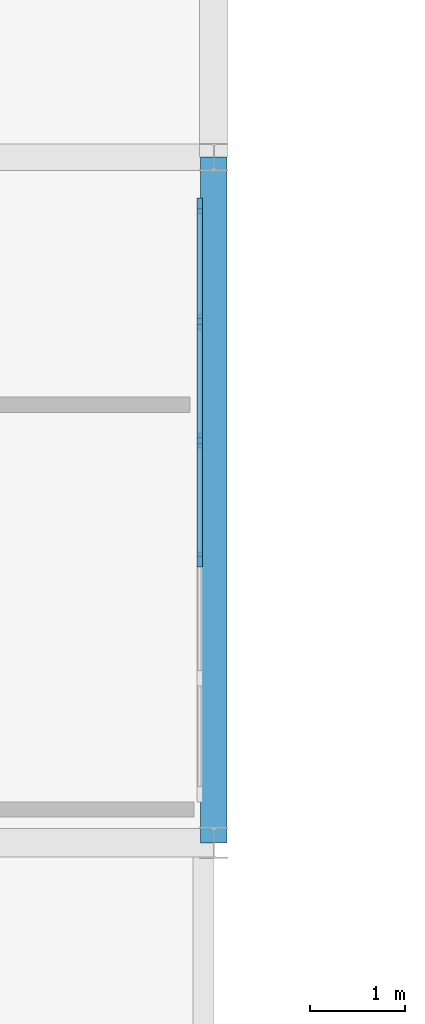
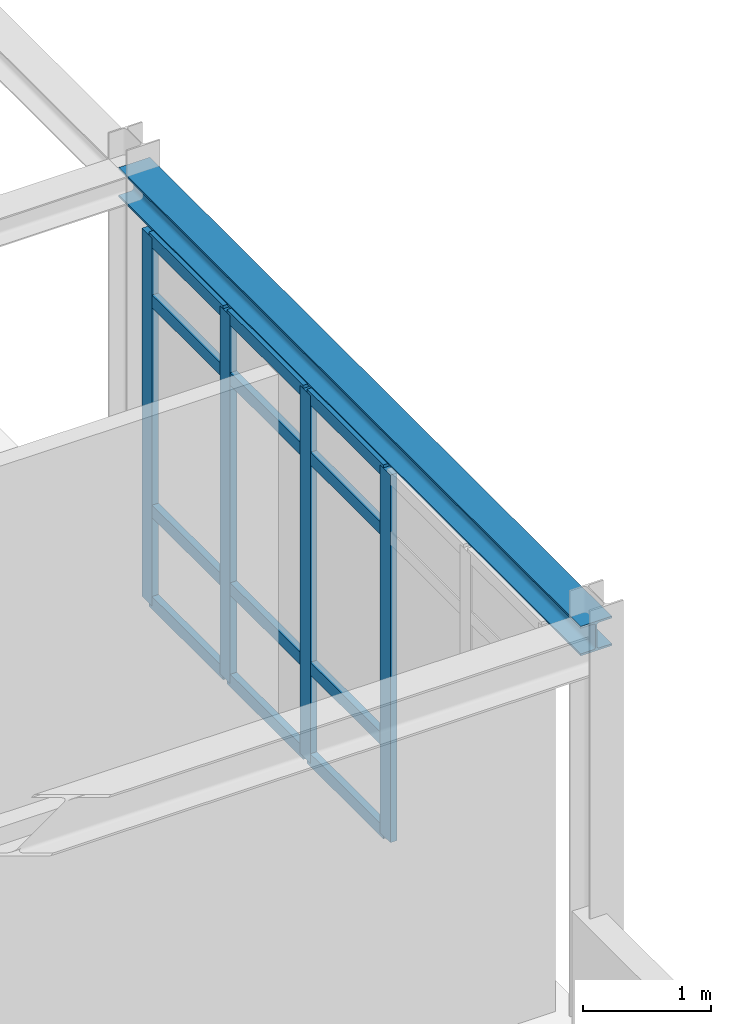
# One storey, part 13 of 58: 16 members, 1 beam, 1 element without a shape of its own.
"""IFC4 building model written with IfcOpenShell, lengths in metres."""

from ifc_helpers import new_model, si_unit, derived_unit, direction, frame, origin, origin_2d, place, context, subcontext, project, spatial, rectangle, i_section, extrude, material, layer, layer_set, material_profile, profile_set, type_object, element, aggregate, save


model = new_model("IFC4")

# Units and contexts
model_context = context("Model", 3, precision=1e-05, world=origin(), true_north=direction((0.0, 1.0)))
body_context = subcontext(model_context, "Body", "Model", "MODEL_VIEW")
ifc_project = project(units=[si_unit("LENGTHUNIT", "METRE"), si_unit("AREAUNIT", "SQUARE_METRE"), si_unit("VOLUMEUNIT", "CUBIC_METRE"), si_unit("PLANEANGLEUNIT", "RADIAN"), si_unit("MASSUNIT", "GRAM", prefix="KILO"), derived_unit("THERMALTRANSMITTANCEUNIT", [(si_unit("POWERUNIT", "WATT"), 1), (si_unit("AREAUNIT", "SQUARE_METRE"), -1), (si_unit("THERMODYNAMICTEMPERATUREUNIT", "KELVIN"), -1)])], contexts=[model_context])

# Site, building, storey
site_placement = place(None, origin())
site = spatial("IfcSite", under=ifc_project, at=site_placement, CompositionType="ELEMENT")
building_placement = place(site_placement, origin())
building = spatial("IfcBuilding", under=site, at=building_placement, Name="Yasenodar Specialist Clinic", CompositionType="ELEMENT")
storey_placement = place(building_placement, frame((0.0, 0.0, 21.300048828125)))
storey = spatial("IfcBuildingStorey", under=building, at=storey_placement, Name="L05", CompositionType="ELEMENT", Elevation=21.300048828125)

# Beam
ifc_material_1 = material(Name="Steel S355", Category="steel")
ifc_material_profile_1 = material_profile(ifc_material_1, i_section(OverallWidth=0.280029296875, OverallDepth=0.280029296875, WebThickness=0.010498046875, FlangeThickness=0.01806640625, FilletRadius=0.02392578125, at=origin_2d()), Name="HEB 280")
ifc_profile_set_1 = profile_set([ifc_material_profile_1], Name="Steel S355")
beam_type = type_object("IfcBeamType", Name="BM-HEB280", PredefinedType="BEAM", material=ifc_profile_set_1)
beam_placement = place(storey_placement, frame((16.800048828125, 90.0, 3.659912109375), z_axis=(0.0, 1.0, 0.0), x_axis=(-1.0, 0.0, 0.0)))
element("IfcBeam", 1, at=beam_placement, inside=storey, type_object=beam_type, Name="L05 Primary N-S Girder", PredefinedType="BEAM", context=body_context, shape_type="SweptSolid", body=[
    extrude(i_section(OverallWidth=0.280029296875, OverallDepth=0.280029296875, WebThickness=0.010498046875, FlangeThickness=0.01806640625, FilletRadius=0.02392578125, at=origin_2d()), origin(), (0.0, 0.0, 1.0), 7.199951171875),
])

# Curtain wall, members
ifc_material_2 = material(Name="Bronze Anodized Aluminium and Triple Low-E Glass", Category="aluminium")
ifc_layer = layer(ifc_material_2, 0.202880859375)
ifc_layer_set = layer_set([ifc_layer], Name="Bronze Anodized Aluminium and Triple Low-E Glass")
curtain_wall_type = type_object("IfcCurtainWallType", Name="CW-SYS-04", PredefinedType="USERDEFINED", material=ifc_layer_set)
curtain_wall_placement = place(storey_placement, origin())
curtain_wall = element("IfcCurtainWall", 2, at=curtain_wall_placement, inside=storey, type_object=curtain_wall_type, Name="L05 Unitised Curtain Wall 141", ObjectType="UNITISED CURTAIN WALL", PredefinedType="USERDEFINED")
ifc_material_3 = material(Name="Bronze Anodized Aluminium", Category="aluminium")
ifc_material_profile_2 = material_profile(ifc_material_3, rectangle(XDim=0.06005859375, YDim=0.159912109375, at=origin_2d()), Name="CW-MULL 60x160")
ifc_profile_set_2 = profile_set([ifc_material_profile_2], Name="Bronze Anodized Aluminium")
member_type_1 = type_object("IfcMemberType", Name="CW-MULL-160", PredefinedType="MULLION", material=ifc_profile_set_2)
member_1_placement = place(storey_placement, frame((16.64990234375, 96.68994140625, 0.0), z_axis=(0.0, 0.0, 1.0), x_axis=(1.0, 0.0, 0.0)))
member_1 = element("IfcMember", 3, at=member_1_placement, type_object=member_type_1, Name="CW-04 mullion 1", PredefinedType="MULLION", context=body_context, shape_type="SweptSolid", body=[
    extrude(rectangle(XDim=0.06005859375, YDim=0.159912109375, at=origin_2d()), origin(), (0.0, 0.0, 1.0), 3.498046875),
])
member_2_placement = place(storey_placement, frame((16.64990234375, 95.471923828125, 0.0), z_axis=(0.0, 0.0, 1.0), x_axis=(1.0, 0.0, 0.0)))
member_2 = element("IfcMember", 4, at=member_2_placement, type_object=member_type_1, Name="CW-04 mullion 2", PredefinedType="MULLION", context=body_context, shape_type="SweptSolid", body=[
    extrude(rectangle(XDim=0.06005859375, YDim=0.159912109375, at=origin_2d()), origin(), (0.0, 0.0, 1.0), 3.498046875),
])
member_3_placement = place(storey_placement, frame((16.64990234375, 94.22412109375, 0.0), z_axis=(0.0, 0.0, 1.0), x_axis=(1.0, 0.0, 0.0)))
member_3 = element("IfcMember", 5, at=member_3_placement, type_object=member_type_1, Name="CW-04 mullion 3", PredefinedType="MULLION", context=body_context, shape_type="SweptSolid", body=[
    extrude(rectangle(XDim=0.06005859375, YDim=0.159912109375, at=origin_2d()), origin(), (0.0, 0.0, 1.0), 3.498046875),
])
member_4_placement = place(storey_placement, frame((16.64990234375, 92.97607421875, 0.0), z_axis=(0.0, 0.0, 1.0), x_axis=(1.0, 0.0, 0.0)))
member_4 = element("IfcMember", 6, at=member_4_placement, type_object=member_type_1, Name="CW-04 mullion 4", PredefinedType="MULLION", context=body_context, shape_type="SweptSolid", body=[
    extrude(rectangle(XDim=0.06005859375, YDim=0.159912109375, at=origin_2d()), origin(), (0.0, 0.0, 1.0), 3.498046875),
])
ifc_material_profile_3 = material_profile(ifc_material_3, rectangle(XDim=0.06005859375, YDim=0.1201171875, at=origin_2d()), Name="CW-TRAN 60x120")
ifc_profile_set_3 = profile_set([ifc_material_profile_3], Name="Bronze Anodized Aluminium")
member_type_2 = type_object("IfcMemberType", Name="CW-TRAN-120", PredefinedType="USERDEFINED", material=ifc_profile_set_3)
member_5_placement = place(storey_placement, frame((16.64990234375, 96.659912109375, 0.030029296875), z_axis=(0.0, -1.0, 0.0), x_axis=(1.0, 0.0, 0.0)))
member_5 = element("IfcMember", 7, at=member_5_placement, type_object=member_type_2, Name="CW-04 transom 1.1", ObjectType="TRANSOM", PredefinedType="USERDEFINED", context=body_context, shape_type="SweptSolid", body=[
    extrude(rectangle(XDim=0.06005859375, YDim=0.1201171875, at=origin_2d()), origin(), (0.0, 0.0, 1.0), 1.157958984375),
])
member_6_placement = place(storey_placement, frame((16.64990234375, 96.659912109375, 0.89990234375), z_axis=(0.0, -1.0, 0.0), x_axis=(1.0, 0.0, 0.0)))
member_6 = element("IfcMember", 8, at=member_6_placement, type_object=member_type_2, Name="CW-04 transom 1.2", ObjectType="TRANSOM", PredefinedType="USERDEFINED", context=body_context, shape_type="SweptSolid", body=[
    extrude(rectangle(XDim=0.06005859375, YDim=0.1201171875, at=origin_2d()), origin(), (0.0, 0.0, 1.0), 1.157958984375),
])
member_7_placement = place(storey_placement, frame((16.64990234375, 96.659912109375, 2.89794921875), z_axis=(0.0, -1.0, 0.0), x_axis=(1.0, 0.0, 0.0)))
member_7 = element("IfcMember", 9, at=member_7_placement, type_object=member_type_2, Name="CW-04 transom 1.3", ObjectType="TRANSOM", PredefinedType="USERDEFINED", context=body_context, shape_type="SweptSolid", body=[
    extrude(rectangle(XDim=0.06005859375, YDim=0.1201171875, at=origin_2d()), origin(), (0.0, 0.0, 1.0), 1.157958984375),
])
member_8_placement = place(storey_placement, frame((16.64990234375, 96.659912109375, 3.468017578125), z_axis=(0.0, -1.0, 0.0), x_axis=(1.0, 0.0, 0.0)))
member_8 = element("IfcMember", 10, at=member_8_placement, type_object=member_type_2, Name="CW-04 transom 1.4", ObjectType="TRANSOM", PredefinedType="USERDEFINED", context=body_context, shape_type="SweptSolid", body=[
    extrude(rectangle(XDim=0.06005859375, YDim=0.1201171875, at=origin_2d()), origin(), (0.0, 0.0, 1.0), 1.157958984375),
])
member_9_placement = place(storey_placement, frame((16.64990234375, 95.44189453125, 0.030029296875), z_axis=(0.0, -1.0, 0.0), x_axis=(1.0, 0.0, 0.0)))
member_9 = element("IfcMember", 11, at=member_9_placement, type_object=member_type_2, Name="CW-04 transom 2.1", ObjectType="TRANSOM", PredefinedType="USERDEFINED", context=body_context, shape_type="SweptSolid", body=[
    extrude(rectangle(XDim=0.06005859375, YDim=0.1201171875, at=origin_2d()), origin(), (0.0, 0.0, 1.0), 1.18798828125),
])
member_10_placement = place(storey_placement, frame((16.64990234375, 95.44189453125, 0.89990234375), z_axis=(0.0, -1.0, 0.0), x_axis=(1.0, 0.0, 0.0)))
member_10 = element("IfcMember", 12, at=member_10_placement, type_object=member_type_2, Name="CW-04 transom 2.2", ObjectType="TRANSOM", PredefinedType="USERDEFINED", context=body_context, shape_type="SweptSolid", body=[
    extrude(rectangle(XDim=0.06005859375, YDim=0.1201171875, at=origin_2d()), origin(), (0.0, 0.0, 1.0), 1.18798828125),
])
member_11_placement = place(storey_placement, frame((16.64990234375, 95.44189453125, 2.89794921875), z_axis=(0.0, -1.0, 0.0), x_axis=(1.0, 0.0, 0.0)))
member_11 = element("IfcMember", 13, at=member_11_placement, type_object=member_type_2, Name="CW-04 transom 2.3", ObjectType="TRANSOM", PredefinedType="USERDEFINED", context=body_context, shape_type="SweptSolid", body=[
    extrude(rectangle(XDim=0.06005859375, YDim=0.1201171875, at=origin_2d()), origin(), (0.0, 0.0, 1.0), 1.18798828125),
])
member_12_placement = place(storey_placement, frame((16.64990234375, 95.44189453125, 3.468017578125), z_axis=(0.0, -1.0, 0.0), x_axis=(1.0, 0.0, 0.0)))
member_12 = element("IfcMember", 14, at=member_12_placement, type_object=member_type_2, Name="CW-04 transom 2.4", ObjectType="TRANSOM", PredefinedType="USERDEFINED", context=body_context, shape_type="SweptSolid", body=[
    extrude(rectangle(XDim=0.06005859375, YDim=0.1201171875, at=origin_2d()), origin(), (0.0, 0.0, 1.0), 1.18798828125),
])
member_13_placement = place(storey_placement, frame((16.64990234375, 94.194091796875, 0.030029296875), z_axis=(0.0, -1.0, 0.0), x_axis=(1.0, 0.0, 0.0)))
member_13 = element("IfcMember", 15, at=member_13_placement, type_object=member_type_2, Name="CW-04 transom 3.1", ObjectType="TRANSOM", PredefinedType="USERDEFINED", context=body_context, shape_type="SweptSolid", body=[
    extrude(rectangle(XDim=0.06005859375, YDim=0.1201171875, at=origin_2d()), origin(), (0.0, 0.0, 1.0), 1.18798828125),
])
member_14_placement = place(storey_placement, frame((16.64990234375, 94.194091796875, 0.89990234375), z_axis=(0.0, -1.0, 0.0), x_axis=(1.0, 0.0, 0.0)))
member_14 = element("IfcMember", 16, at=member_14_placement, type_object=member_type_2, Name="CW-04 transom 3.2", ObjectType="TRANSOM", PredefinedType="USERDEFINED", context=body_context, shape_type="SweptSolid", body=[
    extrude(rectangle(XDim=0.06005859375, YDim=0.1201171875, at=origin_2d()), origin(), (0.0, 0.0, 1.0), 1.18798828125),
])
member_15_placement = place(storey_placement, frame((16.64990234375, 94.194091796875, 2.89794921875), z_axis=(0.0, -1.0, 0.0), x_axis=(1.0, 0.0, 0.0)))
member_15 = element("IfcMember", 17, at=member_15_placement, type_object=member_type_2, Name="CW-04 transom 3.3", ObjectType="TRANSOM", PredefinedType="USERDEFINED", context=body_context, shape_type="SweptSolid", body=[
    extrude(rectangle(XDim=0.06005859375, YDim=0.1201171875, at=origin_2d()), origin(), (0.0, 0.0, 1.0), 1.18798828125),
])
member_16_placement = place(storey_placement, frame((16.64990234375, 94.194091796875, 3.468017578125), z_axis=(0.0, -1.0, 0.0), x_axis=(1.0, 0.0, 0.0)))
member_16 = element("IfcMember", 18, at=member_16_placement, type_object=member_type_2, Name="CW-04 transom 3.4", ObjectType="TRANSOM", PredefinedType="USERDEFINED", context=body_context, shape_type="SweptSolid", body=[
    extrude(rectangle(XDim=0.06005859375, YDim=0.1201171875, at=origin_2d()), origin(), (0.0, 0.0, 1.0), 1.18798828125),
])
aggregate(curtain_wall, [member_1, member_2, member_3, member_4, member_5, member_6, member_7, member_8, member_9, member_10, member_11, member_12, member_13, member_14, member_15, member_16])

save(model, "model.ifc")
